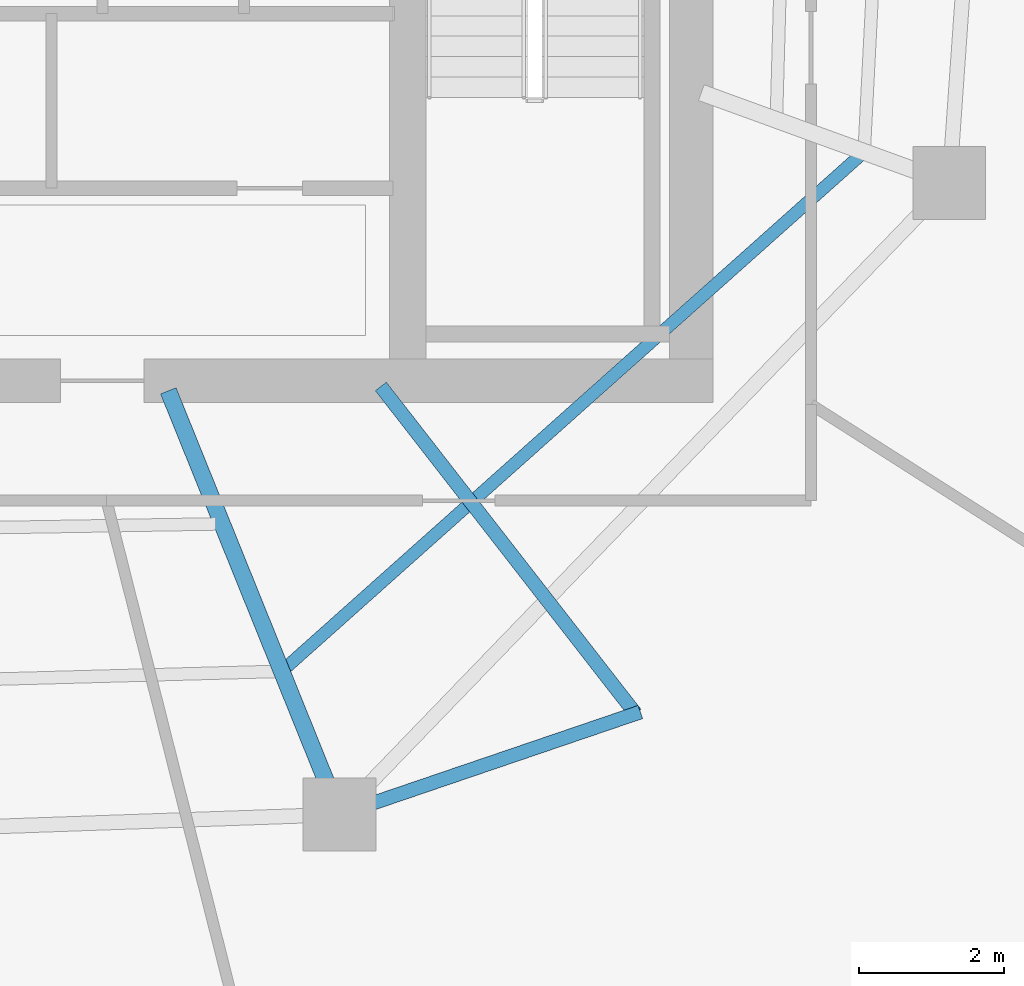
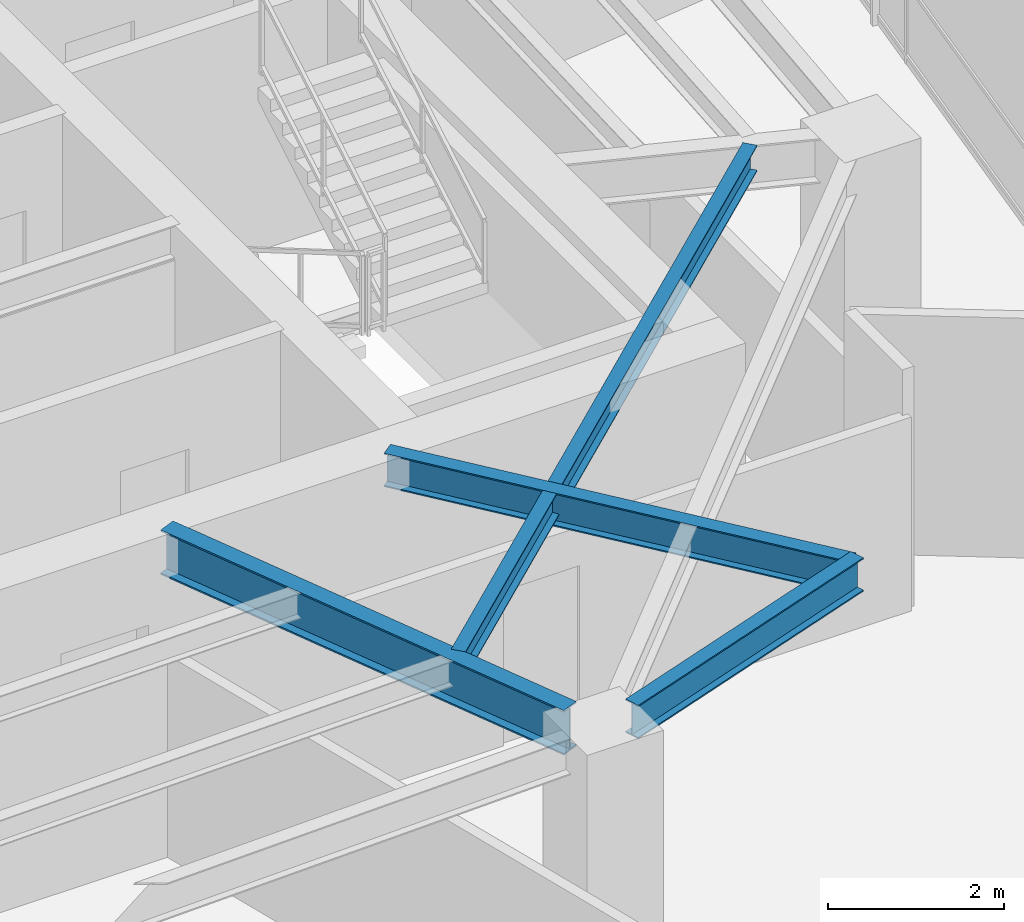
# One storey, part 5 of 20: 4 beams.
"""IFC4 building model written with IfcOpenShell, lengths in metres."""

from ifc_helpers import new_model, si_unit, direction, frame, origin, origin_2d, place, context, subcontext, project, spatial, i_section, extrude, material, material_profile, profile_set, type_object, element, save


model = new_model("IFC4")

# Units and contexts
model_context = context("Model", 3, precision=1e-05, world=origin(), true_north=direction((0.0, 1.0)))
body_context = subcontext(model_context, "Body", "Model", "MODEL_VIEW")
ifc_project = project(units=[si_unit("LENGTHUNIT", "METRE"), si_unit("AREAUNIT", "SQUARE_METRE"), si_unit("VOLUMEUNIT", "CUBIC_METRE"), si_unit("PLANEANGLEUNIT", "RADIAN"), si_unit("MASSUNIT", "GRAM", prefix="KILO")], contexts=[model_context])

# Site, building, storey
site_placement = place(None, origin())
site = spatial("IfcSite", under=ifc_project, at=site_placement, CompositionType="ELEMENT")
building_placement = place(site_placement, origin())
building = spatial("IfcBuilding", under=site, at=building_placement, Name="Qarnah Convention Tower", CompositionType="ELEMENT")
storey_placement = place(building_placement, frame((0.0, 0.0, 150.89990234375)))
storey = spatial("IfcBuildingStorey", under=building, at=storey_placement, Name="L40", CompositionType="ELEMENT", Elevation=150.89990234375)

# Beams
ifc_material = material(Name="Structural steel S355JR", Category="steel")
ifc_material_profile_1 = material_profile(ifc_material, i_section(OverallWidth=0.19189453125, OverallDepth=0.464111328125, WebThickness=0.010986328125, FlangeThickness=0.01806640625, at=origin_2d()), Name="W460X89")
ifc_profile_set_1 = profile_set([ifc_material_profile_1], Name="Structural steel S355JR")
beam_type_1 = type_object("IfcBeamType", Name="BM-CANT-W460A", PredefinedType="BEAM", material=ifc_profile_set_1)
beam_1_placement = place(storey_placement, frame((43.3310546875, 18.52099609375, 3.088134765625), z_axis=(0.614224930977, -0.789130999369, 0.0), x_axis=(0.789130999369, 0.614224930977, 0.0)))
element("IfcBeam", 1, at=beam_1_placement, inside=storey, type_object=beam_type_1, Name="L40 beam BM-L40-CNT-03-1", PredefinedType="BEAM", context=body_context, shape_type="SweptSolid", body=[
    extrude(i_section(OverallWidth=0.19189453125, OverallDepth=0.464111328125, WebThickness=0.010986328125, FlangeThickness=0.01806640625, at=origin_2d()), origin(), (0.0, 0.0, 1.0), 5.706298828125),
])
beam_2_placement = place(storey_placement, frame((46.902099609375, 14.041015625, 3.088134765625), z_axis=(-0.946581312558, -0.322465220939, 0.0), x_axis=(0.322465220939, -0.946581312558, 0.0)))
element("IfcBeam", 2, at=beam_2_placement, inside=storey, type_object=beam_type_1, Name="L40 spandrel BM-L40-CTIE-03", PredefinedType="SPANDREL", context=body_context, shape_type="SweptSolid", body=[
    extrude(i_section(OverallWidth=0.19189453125, OverallDepth=0.464111328125, WebThickness=0.010986328125, FlangeThickness=0.01806640625, at=origin_2d()), origin(), (0.0, 0.0, 1.0), 3.88232421875),
])
ifc_material_profile_2 = material_profile(ifc_material, i_section(OverallWidth=0.172119140625, OverallDepth=0.35595703125, WebThickness=0.007080078125, FlangeThickness=0.011962890625, at=origin_2d()), Name="W360X51")
ifc_profile_set_2 = profile_set([ifc_material_profile_2], Name="Structural steel S355JR")
beam_type_2 = type_object("IfcBeamType", Name="BM-JST-W360", PredefinedType="JOIST", material=ifc_profile_set_2)
beam_3_placement = place(storey_placement, frame((42.033935546875, 14.660888671875, 3.14208984375), z_axis=(0.746348207253, 0.66555567275, 0.0), x_axis=(-0.66555567275, 0.746348207253, 0.0)))
element("IfcBeam", 3, at=beam_3_placement, inside=storey, type_object=beam_type_2, Name="L40 joist BM-L40-SJST-08", PredefinedType="JOIST", context=body_context, shape_type="SweptSolid", body=[
    extrude(i_section(OverallWidth=0.172119140625, OverallDepth=0.35595703125, WebThickness=0.007080078125, FlangeThickness=0.011962890625, at=origin_2d()), origin(), (0.0, 0.0, 1.0), 10.558349609375),
])
ifc_material_profile_3 = material_profile(ifc_material, i_section(OverallWidth=0.22998046875, OverallDepth=0.617919921875, WebThickness=0.012939453125, FlangeThickness=0.02197265625, at=origin_2d()), Name="W610X140")
ifc_profile_set_3 = profile_set([ifc_material_profile_3], Name="Structural steel S355JR")
beam_type_3 = type_object("IfcBeamType", Name="BM-RAD-W610A", PredefinedType="BEAM", material=ifc_profile_set_3)
beam_4_placement = place(storey_placement, frame((40.406982421875, 18.4609375, 3.010986328125), z_axis=(0.374656949885, -0.927163507642, 0.0), x_axis=(0.927163507642, 0.374656949885, 0.0)))
element("IfcBeam", 4, at=beam_4_placement, inside=storey, type_object=beam_type_3, Name="L40 beam BM-L40-RAD-08", PredefinedType="BEAM", context=body_context, shape_type="SweptSolid", body=[
    extrude(i_section(OverallWidth=0.22998046875, OverallDepth=0.617919921875, WebThickness=0.012939453125, FlangeThickness=0.02197265625, at=origin_2d()), origin(), (0.0, 0.0, 1.0), 5.80810546875),
])

save(model, "model.ifc")
